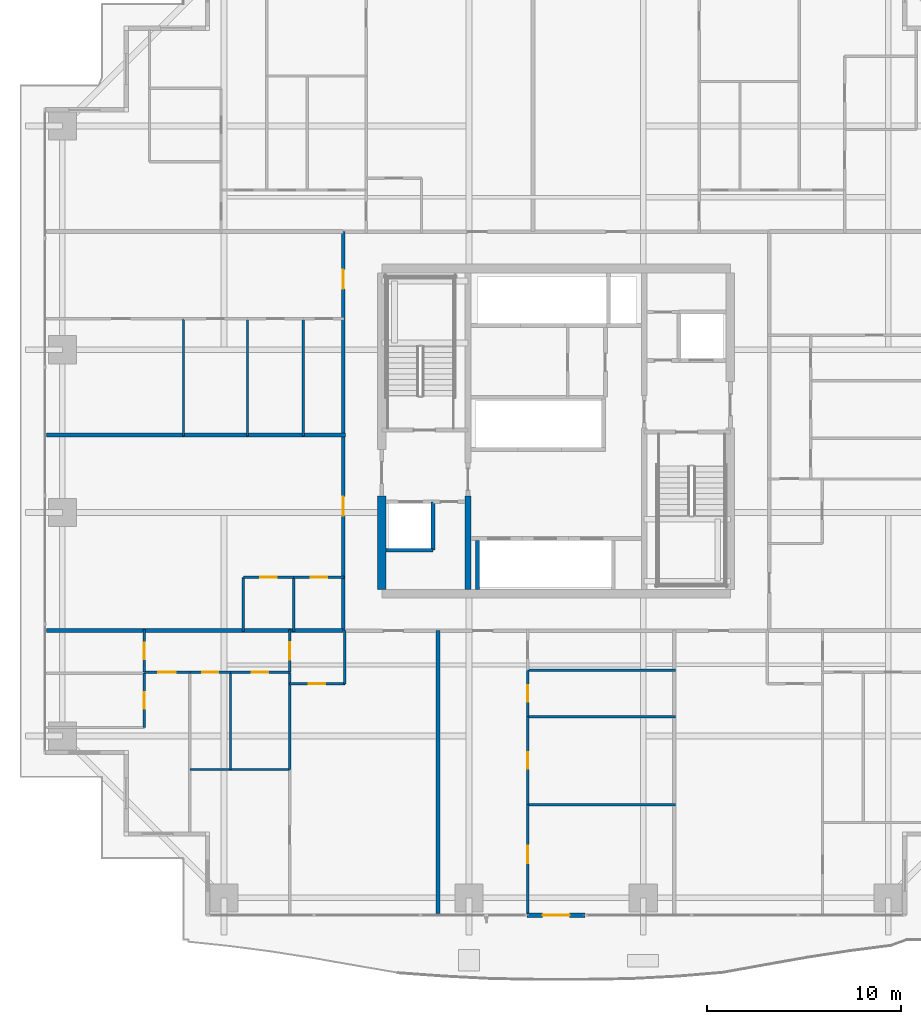
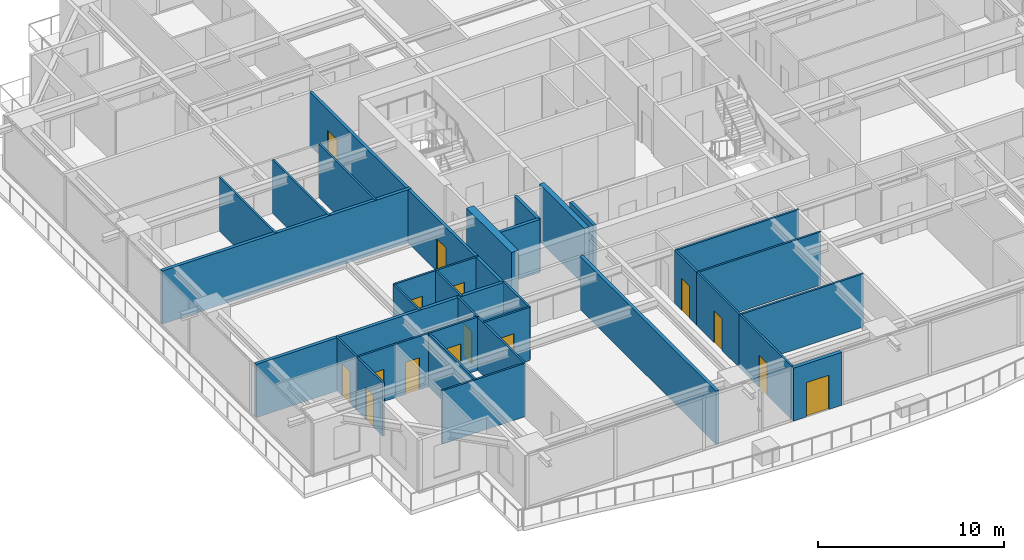
# One storey, part 27 of 39: 34 walls, 15 doors, 15 openings.
"""IFC4 building model written with IfcOpenShell, lengths in metres."""

from ifc_helpers import new_model, si_unit, direction, frame, frame_2d, origin, place, context, subcontext, project, spatial, rectangle, extrude, source, transform, mapped, material, layer, layer_set, type_object, element, fill, save


model = new_model("IFC4")

# Units and contexts
model_context = context("Model", 3, precision=1e-05, world=origin(), true_north=direction((0.0, 1.0)))
body_context = subcontext(model_context, "Body", "Model", "MODEL_VIEW")
ifc_project = project(units=[si_unit("LENGTHUNIT", "METRE"), si_unit("AREAUNIT", "SQUARE_METRE"), si_unit("VOLUMEUNIT", "CUBIC_METRE"), si_unit("PLANEANGLEUNIT", "RADIAN"), si_unit("MASSUNIT", "GRAM", prefix="KILO")], contexts=[model_context])

# Site, building, storey
site_placement = place(None, origin())
site = spatial("IfcSite", under=ifc_project, at=site_placement, CompositionType="ELEMENT")
building_placement = place(site_placement, origin())
building = spatial("IfcBuilding", under=site, at=building_placement, Name="Serunith Strait Residences", CompositionType="ELEMENT")
storey_placement = place(building_placement, frame((0.0, 0.0, 64.199951171875)))
storey = spatial("IfcBuildingStorey", under=building, at=storey_placement, Name="L15", CompositionType="ELEMENT", Elevation=64.199951171875)

# Wall, opening, door
ifc_material_1 = material(Name="Pale-Champagne Aluminium Insulated Panel", Category="aluminium")
ifc_layer_1 = layer(ifc_material_1, 0.219970703125, Name="Pale-Champagne Aluminium Insulated Panel")
ifc_layer_set_1 = layer_set([ifc_layer_1], Name="Pale-Champagne Aluminium Insulated Panel")
wall_type_1 = type_object("IfcWallType", Name="EW-ALUM-220", PredefinedType="ELEMENTEDWALL", material=ifc_layer_set_1)
wall_1_placement = place(storey_placement, frame((30.89990234375, 0.199951171875, 0.0), z_axis=(0.0, 0.0, 1.0), x_axis=(1.0, 0.0, 0.0)))
wall_1 = element("IfcWall", 1, at=wall_1_placement, inside=storey, type_object=wall_type_1, Name="L15 S Facade Pier Wall", PredefinedType="ELEMENTEDWALL", context=body_context, shape_type="SweptSolid", body=[
    extrude(rectangle(XDim=3.0, YDim=0.219970703125, at=frame_2d((1.5, 0.0))), origin(), (0.0, 0.0, 1.0), 3.47509765625),
])
opening_1_placement = place(wall_1_placement, frame((0.800048828125, 0.0, 0.0)))
opening_1 = element("IfcOpeningElement", 2, at=opening_1_placement, cuts=wall_1, Name="Opening ED-04", PredefinedType="OPENING", context=body_context, shape_type="SweptSolid", body=[
    extrude(rectangle(XDim=1.39990234375, YDim=2.25, at=frame_2d((0.699951171875, 1.125))), frame((0.0, 0.1201171875, 0.0), z_axis=(0.0, -1.0, 0.0), x_axis=(1.0, 0.0, 0.0)), (0.0, 0.0, 1.0), 0.239990234375),
])
ifc_material_2 = material(Name="Thermally-Broken Aluminium Sliding Balcony Door", Category="aluminium")
door_type_1 = type_object("IfcDoorType", Name="ED-BALC-1400", OperationType="NOTDEFINED", PredefinedType="DOOR", material=ifc_material_2)
shared_shape_1 = source(origin(), body_context, "Body", "SweptSolid", [
    extrude(rectangle(XDim=1.39990234375, YDim=2.25, at=frame_2d((0.699951171875, 1.125))), frame((0.0, 0.02490234375, 0.0), z_axis=(0.0, -1.0, 0.0), x_axis=(1.0, 0.0, 0.0)), (0.0, 0.0, 1.0), 0.050048828125),
])
door_1_placement = place(opening_1_placement, origin())
door_1 = element("IfcDoor", 3, at=door_1_placement, inside=storey, type_object=door_type_1, Name="L15 S Vertical-Forest Balcony Door", OperationType="SLIDING_TO_LEFT", OverallHeight=2.25, OverallWidth=1.39990234375, PredefinedType="DOOR", context=body_context, shape_type="MappedRepresentation", body=[
    mapped(shared_shape_1, transform((0.0, 0.0, 0.0), scale=1.0)),
])
fill(opening_1, door_1)

# Wall, openings, doors
ifc_material_3 = material(Name="Fire-rated acoustic gypsum partition")
ifc_layer_2 = layer(ifc_material_3, 0.179931640625, Name="Fire-rated acoustic gypsum partition")
ifc_layer_set_2 = layer_set([ifc_layer_2], Name="Fire-rated acoustic gypsum partition")
wall_type_2 = type_object("IfcWallType", Name="IW-CORR-180", PredefinedType="PARTITIONING", material=ifc_layer_set_2)
wall_2_placement = place(storey_placement, frame((21.39990234375, 14.89990234375, 0.0), z_axis=(0.0, 0.0, 1.0), x_axis=(0.0, 1.0, 0.0)))
wall_2 = element("IfcWall", 4, at=wall_2_placement, inside=storey, type_object=wall_type_2, Name="L15 Partition Wall 025", PredefinedType="PARTITIONING", context=body_context, shape_type="SweptSolid", body=[
    extrude(rectangle(XDim=20.60009765625, YDim=0.179931640625, at=frame_2d((10.300048828125, 0.0))), origin(), (0.0, 0.0, 1.0), 3.489990234375),
])
opening_2_placement = place(wall_2_placement, frame((5.9189453125, 0.0, 0.0)))
opening_2 = element("IfcOpeningElement", 5, at=opening_2_placement, cuts=wall_2, Name="Opening D-APT1000", PredefinedType="OPENING", context=body_context, shape_type="SweptSolid", body=[
    extrude(rectangle(XDim=1.0, YDim=2.14990234375, at=frame_2d((0.5, 1.074951171875))), frame((0.0, 0.10009765625, 0.0), z_axis=(0.0, -1.0, 0.0), x_axis=(1.0, 0.0, 0.0)), (0.0, 0.0, 1.0), 0.199951171875),
])
opening_3_placement = place(wall_2_placement, frame((17.639892578125, 0.0, 0.0)))
opening_3 = element("IfcOpeningElement", 6, at=opening_3_placement, cuts=wall_2, Name="Opening D-APT1000", PredefinedType="OPENING", context=body_context, shape_type="SweptSolid", body=[
    extrude(rectangle(XDim=1.0, YDim=2.14990234375, at=frame_2d((0.5, 1.074951171875))), frame((0.0, 0.10009765625, 0.0), z_axis=(0.0, -1.0, 0.0), x_axis=(1.0, 0.0, 0.0)), (0.0, 0.0, 1.0), 0.199951171875),
])
ifc_material_4 = material(Name="Solid timber engineered fire door", Category="wood")
door_type_2 = type_object("IfcDoorType", Name="ID-APT-1000", OperationType="NOTDEFINED", PredefinedType="DOOR", material=ifc_material_4)
shared_shape_2 = source(origin(), body_context, "Body", "SweptSolid", [
    extrude(rectangle(XDim=1.0, YDim=2.14990234375, at=frame_2d((0.5, 1.074951171875))), frame((0.0, 0.02490234375, 0.0), z_axis=(0.0, -1.0, 0.0), x_axis=(1.0, 0.0, 0.0)), (0.0, 0.0, 1.0), 0.050048828125),
])
door_2_placement = place(opening_2_placement, origin())
door_2 = element("IfcDoor", 7, at=door_2_placement, inside=storey, type_object=door_type_2, Name="L15 Unit 06 Entrance Door", OperationType="SINGLE_SWING_RIGHT", OverallHeight=2.14990234375, OverallWidth=1.0, PredefinedType="DOOR", context=body_context, shape_type="MappedRepresentation", body=[
    mapped(shared_shape_2, transform((0.0, 0.0, 0.0), scale=1.0)),
])
fill(opening_2, door_2)
door_3_placement = place(opening_3_placement, origin())
door_3 = element("IfcDoor", 8, at=door_3_placement, inside=storey, type_object=door_type_2, Name="L15 Unit 07 Entrance Door", OperationType="SINGLE_SWING_LEFT", OverallHeight=2.14990234375, OverallWidth=1.0, PredefinedType="DOOR", context=body_context, shape_type="MappedRepresentation", body=[
    mapped(shared_shape_2, transform((0.0, 0.0, 0.0), scale=1.0)),
])
fill(opening_3, door_3)

# Wall, opening, door
ifc_material_5 = material(Name="Lightweight steel-stud gypsum partition", Category="steel")
ifc_layer_3 = layer(ifc_material_5, 0.1201171875, Name="Lightweight steel-stud gypsum partition")
ifc_layer_set_3 = layer_set([ifc_layer_3], Name="Lightweight steel-stud gypsum partition")
wall_type_3 = type_object("IfcWallType", Name="IW-PART-120", PredefinedType="PARTITIONING", material=ifc_layer_set_3)
wall_3_placement = place(storey_placement, frame((18.639892578125, 12.14990234375, 0.0), z_axis=(0.0, 0.0, 1.0), x_axis=(1.0, 0.0, 0.0)))
wall_3 = element("IfcWall", 9, at=wall_3_placement, inside=storey, type_object=wall_type_3, Name="L15 Partition Wall 027", PredefinedType="PARTITIONING", context=body_context, shape_type="SweptSolid", body=[
    extrude(rectangle(XDim=2.85009765625, YDim=0.1201171875, at=frame_2d((1.425048828125, 0.0))), origin(), (0.0, 0.0, 1.0), 3.489990234375),
])
opening_4_placement = place(wall_3_placement, frame((1.0, 0.0, 0.0)))
opening_4 = element("IfcOpeningElement", 10, at=opening_4_placement, cuts=wall_3, Name="Opening D-RM850", PredefinedType="OPENING", context=body_context, shape_type="SweptSolid", body=[
    extrude(rectangle(XDim=0.85009765625, YDim=2.10009765625, at=frame_2d((0.425048828125, 1.050048828125))), frame((0.0, 0.070068359375, 0.0), z_axis=(0.0, -1.0, 0.0), x_axis=(1.0, 0.0, 0.0)), (0.0, 0.0, 1.0), 0.14013671875),
])
ifc_material_6 = material(Name="Engineered timber flush study and kitchen door", Category="wood")
door_type_3 = type_object("IfcDoorType", Name="ID-ROOM-850", OperationType="NOTDEFINED", PredefinedType="DOOR", material=ifc_material_6)
shared_shape_3 = source(origin(), body_context, "Body", "SweptSolid", [
    extrude(rectangle(XDim=0.85009765625, YDim=2.10009765625, at=frame_2d((0.425048828125, 1.050048828125))), frame((0.0, 0.02490234375, 0.0), z_axis=(0.0, -1.0, 0.0), x_axis=(1.0, 0.0, 0.0)), (0.0, 0.0, 1.0), 0.050048828125),
])
door_4_placement = place(opening_4_placement, origin())
door_4 = element("IfcDoor", 11, at=door_4_placement, inside=storey, type_object=door_type_3, Name="L15 Kitchen 1501 Door", OperationType="SINGLE_SWING_LEFT", OverallHeight=2.10009765625, OverallWidth=0.85009765625, PredefinedType="DOOR", context=body_context, shape_type="MappedRepresentation", body=[
    mapped(shared_shape_3, transform((0.0, 0.0, 0.0), scale=1.0)),
])
fill(opening_4, door_4)

# Wall
wall_4_placement = place(storey_placement, frame((21.489990234375, 12.14990234375, 0.0), z_axis=(0.0, 0.0, 1.0), x_axis=(0.0, 1.0, 0.0)))
element("IfcWall", 12, at=wall_4_placement, inside=storey, type_object=wall_type_3, Name="L15 Partition Wall 028", PredefinedType="PARTITIONING", context=body_context, shape_type="SweptSolid", body=[
    extrude(rectangle(XDim=2.748046875, YDim=0.1201171875, at=frame_2d((1.3740234375, 0.0))), origin(), (0.0, 0.0, 1.0), 3.489990234375),
])

# Wall, opening, door
wall_5_placement = place(storey_placement, frame((18.639892578125, 12.75, 0.0), z_axis=(0.0, 0.0, 1.0), x_axis=(0.0, 1.0, 0.0)))
wall_5 = element("IfcWall", 13, at=wall_5_placement, inside=storey, type_object=wall_type_3, Name="L15 Partition Wall 029", PredefinedType="PARTITIONING", context=body_context, shape_type="SweptSolid", body=[
    extrude(rectangle(XDim=2.2099609375, YDim=0.1201171875, at=frame_2d((1.10498046875, 0.0))), origin(), (0.0, 0.0, 1.0), 3.489990234375),
])
opening_5_placement = place(wall_5_placement, frame((0.655029296875, 0.0, 0.0)))
opening_5 = element("IfcOpeningElement", 14, at=opening_5_placement, cuts=wall_5, Name="Opening D-RM900", PredefinedType="OPENING", context=body_context, shape_type="SweptSolid", body=[
    extrude(rectangle(XDim=0.89990234375, YDim=2.10009765625, at=frame_2d((0.449951171875, 1.050048828125))), frame((0.0, 0.070068359375, 0.0), z_axis=(0.0, -1.0, 0.0), x_axis=(1.0, 0.0, 0.0)), (0.0, 0.0, 1.0), 0.14013671875),
])
ifc_material_7 = material(Name="Engineered timber flush bedroom door", Category="wood")
door_type_4 = type_object("IfcDoorType", Name="ID-ROOM-900", OperationType="NOTDEFINED", PredefinedType="DOOR", material=ifc_material_7)
shared_shape_4 = source(origin(), body_context, "Body", "SweptSolid", [
    extrude(rectangle(XDim=0.89990234375, YDim=2.10009765625, at=frame_2d((0.449951171875, 1.050048828125))), frame((0.0, 0.02490234375, 0.0), z_axis=(0.0, -1.0, 0.0), x_axis=(1.0, 0.0, 0.0)), (0.0, 0.0, 1.0), 0.050048828125),
])
door_5_placement = place(opening_5_placement, origin())
door_5 = element("IfcDoor", 15, at=door_5_placement, inside=storey, type_object=door_type_4, Name="L15 Hall W 1501 Door", OperationType="SINGLE_SWING_RIGHT", OverallHeight=2.10009765625, OverallWidth=0.89990234375, PredefinedType="DOOR", context=body_context, shape_type="MappedRepresentation", body=[
    mapped(shared_shape_4, transform((0.0, 0.0, 0.0), scale=1.0)),
])
fill(opening_5, door_5)

# Walls
wall_6_placement = place(storey_placement, frame((18.639892578125, 7.72998046875, 0.0), z_axis=(0.0, 0.0, 1.0), x_axis=(0.0, 1.0, 0.0)))
element("IfcWall", 16, at=wall_6_placement, inside=storey, type_object=wall_type_3, Name="L15 Partition Wall 031", PredefinedType="PARTITIONING", context=body_context, shape_type="SweptSolid", body=[
    extrude(rectangle(XDim=5.01806640625, YDim=0.1201171875, at=frame_2d((2.509033203125, 0.0))), origin(), (0.0, 0.0, 1.0), 3.489990234375),
])
wall_7_placement = place(storey_placement, frame((13.489990234375, 7.72802734375, 0.0), z_axis=(0.0, 0.0, 1.0), x_axis=(1.0, 0.0, 0.0)))
element("IfcWall", 17, at=wall_7_placement, inside=storey, type_object=wall_type_3, Name="L15 Partition Wall 032", PredefinedType="PARTITIONING", context=body_context, shape_type="SweptSolid", body=[
    extrude(rectangle(XDim=5.14990234375, YDim=0.1201171875, at=frame_2d((2.574951171875, 0.0))), origin(), (0.0, 0.0, 1.0), 3.489990234375),
])
wall_8_placement = place(storey_placement, frame((15.590087890625, 7.72802734375, 0.0), z_axis=(0.0, 0.0, 1.0), x_axis=(0.0, 1.0, 0.0)))
element("IfcWall", 18, at=wall_8_placement, inside=storey, type_object=wall_type_3, Name="L15 Partition Wall 034", PredefinedType="PARTITIONING", context=body_context, shape_type="SweptSolid", body=[
    extrude(rectangle(XDim=5.02197265625, YDim=0.1201171875, at=frame_2d((2.510986328125, 0.0))), origin(), (0.0, 0.0, 1.0), 3.489990234375),
])

# Wall, opening, door
wall_9_placement = place(storey_placement, frame((13.489990234375, 12.75, 0.0), z_axis=(0.0, 0.0, 1.0), x_axis=(1.0, 0.0, 0.0)))
wall_9 = element("IfcWall", 19, at=wall_9_placement, inside=storey, type_object=wall_type_3, Name="L15 Partition Wall 035", PredefinedType="PARTITIONING", context=body_context, shape_type="SweptSolid", body=[
    extrude(rectangle(XDim=2.10009765625, YDim=0.1201171875, at=frame_2d((1.050048828125, 0.0))), origin(), (0.0, 0.0, 1.0), 3.489990234375),
])
opening_6_placement = place(wall_9_placement, frame((0.625, 0.0, 0.0)))
opening_6 = element("IfcOpeningElement", 20, at=opening_6_placement, cuts=wall_9, Name="Opening D-BTH850", PredefinedType="OPENING", context=body_context, shape_type="SweptSolid", body=[
    extrude(rectangle(XDim=0.85009765625, YDim=2.10009765625, at=frame_2d((0.425048828125, 1.050048828125))), frame((0.0, 0.070068359375, 0.0), z_axis=(0.0, -1.0, 0.0), x_axis=(1.0, 0.0, 0.0)), (0.0, 0.0, 1.0), 0.14013671875),
])
ifc_material_8 = material(Name="Moisture-resistant timber bathroom door", Category="wood")
door_type_5 = type_object("IfcDoorType", Name="ID-BATH-850", OperationType="NOTDEFINED", PredefinedType="DOOR", material=ifc_material_8)
door_6_placement = place(opening_6_placement, origin())
door_6 = element("IfcDoor", 21, at=door_6_placement, inside=storey, type_object=door_type_5, Name="L15 Bathroom 1501 Door", OperationType="SINGLE_SWING_RIGHT", OverallHeight=2.10009765625, OverallWidth=0.85009765625, PredefinedType="DOOR", context=body_context, shape_type="MappedRepresentation", body=[
    mapped(shared_shape_3, transform((0.0, 0.0, 0.0), scale=1.0)),
])
fill(opening_6, door_6)

wall_10_placement = place(storey_placement, frame((15.592041015625, 12.75, 0.0), z_axis=(0.0, 0.0, 1.0), x_axis=(1.0, 0.0, 0.0)))
wall_10 = element("IfcWall", 22, at=wall_10_placement, inside=storey, type_object=wall_type_3, Name="L15 Partition Wall 036", PredefinedType="PARTITIONING", context=body_context, shape_type="SweptSolid", body=[
    extrude(rectangle(XDim=3.0478515625, YDim=0.1201171875, at=frame_2d((1.52392578125, 0.0))), origin(), (0.0, 0.0, 1.0), 3.489990234375),
])
opening_7_placement = place(wall_10_placement, frame((1.09912109375, 0.0, 0.0)))
opening_7 = element("IfcOpeningElement", 23, at=opening_7_placement, cuts=wall_10, Name="Opening D-RM850", PredefinedType="OPENING", context=body_context, shape_type="SweptSolid", body=[
    extrude(rectangle(XDim=0.85009765625, YDim=2.10009765625, at=frame_2d((0.425048828125, 1.050048828125))), frame((0.0, 0.070068359375, 0.0), z_axis=(0.0, -1.0, 0.0), x_axis=(1.0, 0.0, 0.0)), (0.0, 0.0, 1.0), 0.14013671875),
])
door_7_placement = place(opening_7_placement, origin())
door_7 = element("IfcDoor", 24, at=door_7_placement, inside=storey, type_object=door_type_3, Name="L15 Formal Dining Room 1501 Door", OperationType="SINGLE_SWING_LEFT", OverallHeight=2.10009765625, OverallWidth=0.85009765625, PredefinedType="DOOR", context=body_context, shape_type="MappedRepresentation", body=[
    mapped(shared_shape_3, transform((0.0, 0.0, 0.0), scale=1.0)),
])
fill(opening_7, door_7)

wall_11_placement = place(storey_placement, frame((11.139892578125, 12.75, 0.0), z_axis=(0.0, 0.0, 1.0), x_axis=(1.0, 0.0, 0.0)))
wall_11 = element("IfcWall", 25, at=wall_11_placement, inside=storey, type_object=wall_type_3, Name="L15 Partition Wall 037", PredefinedType="PARTITIONING", context=body_context, shape_type="SweptSolid", body=[
    extrude(rectangle(XDim=2.34814453125, YDim=0.1201171875, at=frame_2d((1.174072265625, 0.0))), origin(), (0.0, 0.0, 1.0), 3.489990234375),
])
opening_8_placement = place(wall_11_placement, frame((0.72412109375, 0.0, 0.0)))
opening_8 = element("IfcOpeningElement", 26, at=opening_8_placement, cuts=wall_11, Name="Opening D-RM900", PredefinedType="OPENING", context=body_context, shape_type="SweptSolid", body=[
    extrude(rectangle(XDim=0.89990234375, YDim=2.10009765625, at=frame_2d((0.449951171875, 1.050048828125))), frame((0.0, 0.070068359375, 0.0), z_axis=(0.0, -1.0, 0.0), x_axis=(1.0, 0.0, 0.0)), (0.0, 0.0, 1.0), 0.14013671875),
])
door_8_placement = place(opening_8_placement, origin())
door_8 = element("IfcDoor", 27, at=door_8_placement, inside=storey, type_object=door_type_4, Name="L15 Master Bedroom W 1501 Door", OperationType="SINGLE_SWING_RIGHT", OverallHeight=2.10009765625, OverallWidth=0.89990234375, PredefinedType="DOOR", context=body_context, shape_type="MappedRepresentation", body=[
    mapped(shared_shape_4, transform((0.0, 0.0, 0.0), scale=1.0)),
])
fill(opening_8, door_8)

wall_12_placement = place(storey_placement, frame((11.139892578125, 9.89404296875, 0.0), z_axis=(0.0, 0.0, 1.0), x_axis=(0.0, 1.0, 0.0)))
wall_12 = element("IfcWall", 28, at=wall_12_placement, inside=storey, type_object=wall_type_3, Name="L15 Partition Wall 040", PredefinedType="PARTITIONING", context=body_context, shape_type="SweptSolid", body=[
    extrude(rectangle(XDim=2.807861328125, YDim=0.1201171875, at=frame_2d((1.40380859375, 0.0))), origin(), (0.0, 0.0, 1.0), 3.489990234375),
])
opening_9_placement = place(wall_12_placement, frame((0.97900390625, 0.0, 0.0)))
opening_9 = element("IfcOpeningElement", 29, at=opening_9_placement, cuts=wall_12, Name="Opening D-BTH850", PredefinedType="OPENING", context=body_context, shape_type="SweptSolid", body=[
    extrude(rectangle(XDim=0.85009765625, YDim=2.10009765625, at=frame_2d((0.425048828125, 1.050048828125))), frame((0.0, 0.070068359375, 0.0), z_axis=(0.0, -1.0, 0.0), x_axis=(1.0, 0.0, 0.0)), (0.0, 0.0, 1.0), 0.14013671875),
])
door_9_placement = place(opening_9_placement, origin())
door_9 = element("IfcDoor", 30, at=door_9_placement, inside=storey, type_object=door_type_5, Name="L15 En-suite Bathroom W 1501 Door", OperationType="SINGLE_SWING_LEFT", OverallHeight=2.10009765625, OverallWidth=0.85009765625, PredefinedType="DOOR", context=body_context, shape_type="MappedRepresentation", body=[
    mapped(shared_shape_3, transform((0.0, 0.0, 0.0), scale=1.0)),
])
fill(opening_9, door_9)

wall_13_placement = place(storey_placement, frame((11.139892578125, 12.75, 0.0), z_axis=(0.0, 0.0, 1.0), x_axis=(0.0, 1.0, 0.0)))
wall_13 = element("IfcWall", 31, at=wall_13_placement, inside=storey, type_object=wall_type_3, Name="L15 Partition Wall 041", PredefinedType="PARTITIONING", context=body_context, shape_type="SweptSolid", body=[
    extrude(rectangle(XDim=2.2099609375, YDim=0.1201171875, at=frame_2d((1.10498046875, 0.0))), origin(), (0.0, 0.0, 1.0), 3.489990234375),
])
opening_10_placement = place(wall_13_placement, frame((0.679931640625, 0.0, 0.0)))
opening_10 = element("IfcOpeningElement", 32, at=opening_10_placement, cuts=wall_13, Name="Opening D-RM850", PredefinedType="OPENING", context=body_context, shape_type="SweptSolid", body=[
    extrude(rectangle(XDim=0.85009765625, YDim=2.10009765625, at=frame_2d((0.425048828125, 1.050048828125))), frame((0.0, 0.070068359375, 0.0), z_axis=(0.0, -1.0, 0.0), x_axis=(1.0, 0.0, 0.0)), (0.0, 0.0, 1.0), 0.14013671875),
])
door_10_placement = place(opening_10_placement, origin())
door_10 = element("IfcDoor", 33, at=door_10_placement, inside=storey, type_object=door_type_3, Name="L15 Wardrobe W 1501 Door", OperationType="SINGLE_SWING_RIGHT", OverallHeight=2.10009765625, OverallWidth=0.85009765625, PredefinedType="DOOR", context=body_context, shape_type="MappedRepresentation", body=[
    mapped(shared_shape_3, transform((0.0, 0.0, 0.0), scale=1.0)),
])
fill(opening_10, door_10)

wall_14_placement = place(storey_placement, frame((30.93994140625, 0.294921875, 0.0), z_axis=(0.0, 0.0, 1.0), x_axis=(0.0, 1.0, 0.0)))
wall_14 = element("IfcWall", 34, at=wall_14_placement, inside=storey, type_object=wall_type_3, Name="L15 Partition Wall 042", PredefinedType="PARTITIONING", context=body_context, shape_type="SweptSolid", body=[
    extrude(rectangle(XDim=5.619140625, YDim=0.1201171875, at=frame_2d((2.8095703125, 0.0))), origin(), (0.0, 0.0, 1.0), 3.489990234375),
])
opening_11_placement = place(wall_14_placement, frame((2.594970703125, 0.0, 0.0)))
opening_11 = element("IfcOpeningElement", 35, at=opening_11_placement, cuts=wall_14, Name="Opening D-RM900", PredefinedType="OPENING", context=body_context, shape_type="SweptSolid", body=[
    extrude(rectangle(XDim=0.89990234375, YDim=2.10009765625, at=frame_2d((0.449951171875, 1.050048828125))), frame((0.0, 0.070068359375, 0.0), z_axis=(0.0, -1.0, 0.0), x_axis=(1.0, 0.0, 0.0)), (0.0, 0.0, 1.0), 0.14013671875),
])
door_11_placement = place(opening_11_placement, origin())
door_11 = element("IfcDoor", 36, at=door_11_placement, inside=storey, type_object=door_type_4, Name="L15 Master Bedroom 1 1502 Door", OperationType="SINGLE_SWING_LEFT", OverallHeight=2.10009765625, OverallWidth=0.89990234375, PredefinedType="DOOR", context=body_context, shape_type="MappedRepresentation", body=[
    mapped(shared_shape_4, transform((0.0, 0.0, 0.0), scale=1.0)),
])
fill(opening_11, door_11)

# Walls
for number, where, z_axis, x_axis, name in (
    (37, (30.93994140625, 5.9140625, 0.0), (0.0, 0.0, 1.0), (1.0, 0.0, 0.0), "L15 Partition Wall 043"),
    (38, (30.93994140625, 10.4560546875, 0.0), (0.0, 0.0, 1.0), (1.0, 0.0, 0.0), "L15 Partition Wall 044"),
    (39, (30.93994140625, 12.85009765625, 0.0), (0.0, 0.0, 1.0), (1.0, 0.0, 0.0), "L15 Partition Wall 045"),
):
    element("IfcWall", number, at=place(storey_placement, frame(where, z_axis=z_axis, x_axis=x_axis)), inside=storey, type_object=wall_type_3, Name=name, PredefinedType="PARTITIONING", context=body_context, shape_type="SweptSolid", body=[
        extrude(rectangle(XDim=7.6201171875, YDim=0.1201171875, at=frame_2d((3.81005859375, 0.0))), origin(), (0.0, 0.0, 1.0), 3.489990234375),
    ])

# Wall, opening, door
wall_15_placement = place(storey_placement, frame((30.93994140625, 5.916015625, 0.0), z_axis=(0.0, 0.0, 1.0), x_axis=(0.0, 1.0, 0.0)))
wall_15 = element("IfcWall", 40, at=wall_15_placement, inside=storey, type_object=wall_type_3, Name="L15 Partition Wall 046", PredefinedType="PARTITIONING", context=body_context, shape_type="SweptSolid", body=[
    extrude(rectangle(XDim=4.5400390625, YDim=0.1201171875, at=frame_2d((2.27001953125, 0.0))), origin(), (0.0, 0.0, 1.0), 3.489990234375),
])
opening_12_placement = place(wall_15_placement, frame((1.844970703125, 0.0, 0.0)))
opening_12 = element("IfcOpeningElement", 41, at=opening_12_placement, cuts=wall_15, Name="Opening D-RM850", PredefinedType="OPENING", context=body_context, shape_type="SweptSolid", body=[
    extrude(rectangle(XDim=0.85009765625, YDim=2.10009765625, at=frame_2d((0.425048828125, 1.050048828125))), frame((0.0, 0.070068359375, 0.0), z_axis=(0.0, -1.0, 0.0), x_axis=(1.0, 0.0, 0.0)), (0.0, 0.0, 1.0), 0.14013671875),
])
door_12_placement = place(opening_12_placement, origin())
door_12 = element("IfcDoor", 42, at=door_12_placement, inside=storey, type_object=door_type_3, Name="L15 Dining 1502 Door", OperationType="SINGLE_SWING_RIGHT", OverallHeight=2.10009765625, OverallWidth=0.85009765625, PredefinedType="DOOR", context=body_context, shape_type="MappedRepresentation", body=[
    mapped(shared_shape_3, transform((0.0, 0.0, 0.0), scale=1.0)),
])
fill(opening_12, door_12)

wall_16_placement = place(storey_placement, frame((30.93994140625, 10.4580078125, 0.0), z_axis=(0.0, 0.0, 1.0), x_axis=(0.0, 1.0, 0.0)))
wall_16 = element("IfcWall", 43, at=wall_16_placement, inside=storey, type_object=wall_type_3, Name="L15 Partition Wall 047", PredefinedType="PARTITIONING", context=body_context, shape_type="SweptSolid", body=[
    extrude(rectangle(XDim=2.39208984375, YDim=0.1201171875, at=frame_2d((1.196044921875, 0.0))), origin(), (0.0, 0.0, 1.0), 3.489990234375),
])
opening_13_placement = place(wall_16_placement, frame((0.77099609375, 0.0, 0.0)))
opening_13 = element("IfcOpeningElement", 44, at=opening_13_placement, cuts=wall_16, Name="Opening D-RM850", PredefinedType="OPENING", context=body_context, shape_type="SweptSolid", body=[
    extrude(rectangle(XDim=0.85009765625, YDim=2.10009765625, at=frame_2d((0.425048828125, 1.050048828125))), frame((0.0, 0.070068359375, 0.0), z_axis=(0.0, -1.0, 0.0), x_axis=(1.0, 0.0, 0.0)), (0.0, 0.0, 1.0), 0.14013671875),
])
door_13_placement = place(opening_13_placement, origin())
door_13 = element("IfcDoor", 45, at=door_13_placement, inside=storey, type_object=door_type_3, Name="L15 Kitchen 1502 Door", OperationType="SINGLE_SWING_LEFT", OverallHeight=2.10009765625, OverallWidth=0.85009765625, PredefinedType="DOOR", context=body_context, shape_type="MappedRepresentation", body=[
    mapped(shared_shape_3, transform((0.0, 0.0, 0.0), scale=1.0)),
])
fill(opening_13, door_13)

wall_17_placement = place(storey_placement, frame((16.25, 17.64990234375, 0.0), z_axis=(0.0, 0.0, 1.0), x_axis=(1.0, 0.0, 0.0)))
wall_17 = element("IfcWall", 46, at=wall_17_placement, inside=storey, type_object=wall_type_3, Name="L15 Partition Wall 096", PredefinedType="PARTITIONING", context=body_context, shape_type="SweptSolid", body=[
    extrude(rectangle(XDim=2.60009765625, YDim=0.1201171875, at=frame_2d((1.300048828125, 0.0))), origin(), (0.0, 0.0, 1.0), 3.489990234375),
])
opening_14_placement = place(wall_17_placement, frame((0.875, 0.0, 0.0)))
opening_14 = element("IfcOpeningElement", 47, at=opening_14_placement, cuts=wall_17, Name="Opening D-RM850", PredefinedType="OPENING", context=body_context, shape_type="SweptSolid", body=[
    extrude(rectangle(XDim=0.85009765625, YDim=2.10009765625, at=frame_2d((0.425048828125, 1.050048828125))), frame((0.0, 0.070068359375, 0.0), z_axis=(0.0, -1.0, 0.0), x_axis=(1.0, 0.0, 0.0)), (0.0, 0.0, 1.0), 0.14013671875),
])
door_14_placement = place(opening_14_placement, origin())
door_14 = element("IfcDoor", 48, at=door_14_placement, inside=storey, type_object=door_type_3, Name="L15 Kitchen 1506 Door", OperationType="SINGLE_SWING_RIGHT", OverallHeight=2.10009765625, OverallWidth=0.85009765625, PredefinedType="DOOR", context=body_context, shape_type="MappedRepresentation", body=[
    mapped(shared_shape_3, transform((0.0, 0.0, 0.0), scale=1.0)),
])
fill(opening_14, door_14)

wall_18_placement = place(storey_placement, frame((18.85205078125, 17.64990234375, 0.0), z_axis=(0.0, 0.0, 1.0), x_axis=(1.0, 0.0, 0.0)))
wall_18 = element("IfcWall", 49, at=wall_18_placement, inside=storey, type_object=wall_type_3, Name="L15 Partition Wall 097", PredefinedType="PARTITIONING", context=body_context, shape_type="SweptSolid", body=[
    extrude(rectangle(XDim=2.60791015625, YDim=0.1201171875, at=frame_2d((1.303955078125, 0.0))), origin(), (0.0, 0.0, 1.0), 3.489990234375),
])
opening_15_placement = place(wall_18_placement, frame((0.87890625, 0.0, 0.0)))
opening_15 = element("IfcOpeningElement", 50, at=opening_15_placement, cuts=wall_18, Name="Opening D-BTH850", PredefinedType="OPENING", context=body_context, shape_type="SweptSolid", body=[
    extrude(rectangle(XDim=0.85009765625, YDim=2.10009765625, at=frame_2d((0.425048828125, 1.050048828125))), frame((0.0, 0.070068359375, 0.0), z_axis=(0.0, -1.0, 0.0), x_axis=(1.0, 0.0, 0.0)), (0.0, 0.0, 1.0), 0.14013671875),
])
door_15_placement = place(opening_15_placement, origin())
door_15 = element("IfcDoor", 51, at=door_15_placement, inside=storey, type_object=door_type_5, Name="L15 Bathroom 1506 Door", OperationType="SINGLE_SWING_LEFT", OverallHeight=2.10009765625, OverallWidth=0.85009765625, PredefinedType="DOOR", context=body_context, shape_type="MappedRepresentation", body=[
    mapped(shared_shape_3, transform((0.0, 0.0, 0.0), scale=1.0)),
])
fill(opening_15, door_15)

# Walls
for number, where, z_axis, x_axis, name in (
    (52, (18.85009765625, 14.840087890625, 0.0), (0.0, 0.0, 1.0), (0.0, 1.0, 0.0), "L15 Partition Wall 098"),
    (53, (16.25, 14.840087890625, 0.0), (0.0, 0.0, 1.0), (0.0, 1.0, 0.0), "L15 Partition Wall 099"),
):
    element("IfcWall", number, at=place(storey_placement, frame(where, z_axis=z_axis, x_axis=x_axis)), inside=storey, type_object=wall_type_3, Name=name, PredefinedType="PARTITIONING", context=body_context, shape_type="SweptSolid", body=[
        extrude(rectangle(XDim=2.809814453125, YDim=0.1201171875, at=frame_2d((1.40478515625, 0.0))), origin(), (0.0, 0.0, 1.0), 3.489990234375),
    ])
for number, where, z_axis, x_axis, name in (
    (54, (13.157958984375, 24.93994140625, 0.0), (0.0, 0.0, 1.0), (0.0, 1.0, 0.0), "L15 Partition Wall 101"),
    (55, (16.467041015625, 24.93994140625, 0.0), (0.0, 0.0, 1.0), (0.0, 1.0, 0.0), "L15 Partition Wall 102"),
    (56, (19.35009765625, 24.93994140625, 0.0), (0.0, 0.0, 1.0), (0.0, 1.0, 0.0), "L15 Partition Wall 103"),
):
    element("IfcWall", number, at=place(storey_placement, frame(where, z_axis=z_axis, x_axis=x_axis)), inside=storey, type_object=wall_type_3, Name=name, PredefinedType="PARTITIONING", context=body_context, shape_type="SweptSolid", body=[
        extrude(rectangle(XDim=6.06005859375, YDim=0.1201171875, at=frame_2d((3.030029296875, 0.0))), origin(), (0.0, 0.0, 1.0), 3.489990234375),
    ])
ifc_material_9 = material(Name="Twin-stud acoustic gypsum board partition")
ifc_layer_4 = layer(ifc_material_9, 0.199951171875, Name="Twin-stud acoustic gypsum board partition")
ifc_layer_set_4 = layer_set([ifc_layer_4], Name="Twin-stud acoustic gypsum board partition")
wall_type_4 = type_object("IfcWallType", Name="IW-PARTY-200", PredefinedType="PARTITIONING", material=ifc_layer_set_4)
wall_19_placement = place(storey_placement, frame((26.300048828125, 0.281982421875, 0.0), z_axis=(0.0, 0.0, 1.0), x_axis=(0.0, 1.0, 0.0)))
element("IfcWall", 57, at=wall_19_placement, inside=storey, type_object=wall_type_4, Name="L15 Partition Wall 015", PredefinedType="PARTITIONING", context=body_context, shape_type="SweptSolid", body=[
    extrude(rectangle(XDim=14.617919921875, YDim=0.199951171875, at=frame_2d((7.30908203125, 0.0))), origin(), (0.0, 0.0, 1.0), 3.489990234375),
])
wall_20_placement = place(storey_placement, frame((6.08203125, 25.0, 0.0), z_axis=(0.0, 0.0, 1.0), x_axis=(1.0, 0.0, 0.0)))
element("IfcWall", 58, at=wall_20_placement, inside=storey, type_object=wall_type_4, Name="L15 Partition Wall 018", PredefinedType="PARTITIONING", context=body_context, shape_type="SweptSolid", body=[
    extrude(rectangle(XDim=15.43798828125, YDim=0.199951171875, at=frame_2d((7.718994140625, 0.0))), origin(), (0.0, 0.0, 1.0), 3.489990234375),
])
wall_21_placement = place(storey_placement, frame((6.08203125, 14.89990234375, 0.0), z_axis=(0.0, 0.0, 1.0), x_axis=(1.0, 0.0, 0.0)))
element("IfcWall", 59, at=wall_21_placement, inside=storey, type_object=wall_type_4, Name="L15 Partition Wall 019", PredefinedType="PARTITIONING", context=body_context, shape_type="SweptSolid", body=[
    extrude(rectangle(XDim=15.31787109375, YDim=0.199951171875, at=frame_2d((7.658935546875, 0.0))), origin(), (0.0, 0.0, 1.0), 3.489990234375),
])
ifc_material_10 = material(Name="Autoclaved aerated concrete blockwork", Category="masonry")
ifc_layer_5 = layer(ifc_material_10, 0.199951171875, Name="Autoclaved aerated concrete blockwork")
ifc_layer_set_5 = layer_set([ifc_layer_5], Name="Autoclaved aerated concrete blockwork")
wall_type_5 = type_object("IfcWallType", Name="IW-SHAFT-200", PredefinedType="STANDARD", material=ifc_layer_set_5)
wall_22_placement = place(storey_placement, frame((28.35009765625, 17.02490234375, 0.0), z_axis=(0.0, 0.0, 1.0), x_axis=(0.0, 1.0, 0.0)))
element("IfcWall", 60, at=wall_22_placement, inside=storey, type_object=wall_type_5, Name="L15 PL-1 West Shaft Wall", PredefinedType="STANDARD", context=body_context, shape_type="SweptSolid", body=[
    extrude(rectangle(XDim=2.525146484375, YDim=0.199951171875, at=frame_2d((1.2626953125, 0.0))), origin(), (0.0, 0.0, 1.0), 3.489990234375),
])
wall_23_placement = place(storey_placement, frame((26.050048828125, 19.050048828125, 0.0), z_axis=(0.0, 0.0, 1.0), x_axis=(0.0, 1.0, 0.0)))
element("IfcWall", 61, at=wall_23_placement, inside=storey, type_object=wall_type_5, Name="L15 Partition Wall 001", PredefinedType="STANDARD", context=body_context, shape_type="SweptSolid", body=[
    extrude(rectangle(XDim=2.5, YDim=0.199951171875, at=frame_2d((1.25, 0.0))), origin(), (0.0, 0.0, 1.0), 3.489990234375),
])
wall_24_placement = place(storey_placement, frame((23.625, 19.050048828125, 0.0), z_axis=(0.0, 0.0, 1.0), x_axis=(1.0, 0.0, 0.0)))
element("IfcWall", 62, at=wall_24_placement, inside=storey, type_object=wall_type_5, Name="L15 Partition Wall 002", PredefinedType="STANDARD", context=body_context, shape_type="SweptSolid", body=[
    extrude(rectangle(XDim=2.425048828125, YDim=0.199951171875, at=frame_2d((1.21240234375, 0.0))), origin(), (0.0, 0.0, 1.0), 3.489990234375),
])
ifc_material_11 = material(Name="Concrete C80/95", Category="concrete")
ifc_layer_6 = layer(ifc_material_11, 0.300048828125, Name="Concrete C80/95")
ifc_layer_set_6 = layer_set([ifc_layer_6], Name="Concrete C80/95")
wall_type_6 = type_object("IfcWallType", Name="SW-300-C80", PredefinedType="SHEAR", material=ifc_layer_set_6)
wall_25_placement = place(storey_placement, frame((27.85009765625, 17.02490234375, -0.260009765625), z_axis=(0.0, 0.0, 1.0), x_axis=(0.0, 1.0, 0.0)))
element("IfcWall", 63, at=wall_25_placement, inside=storey, type_object=wall_type_6, Name="L15 Core Internal West Web South Pier", PredefinedType="SHEAR", context=body_context, shape_type="SweptSolid", body=[
    extrude(rectangle(XDim=4.8251953125, YDim=0.300048828125, at=frame_2d((2.41259765625, 0.0))), origin(), (0.0, 0.0, 1.0), 3.748046875),
])
ifc_layer_7 = layer(ifc_material_11, 0.449951171875, Name="Concrete C80/95")
ifc_layer_set_7 = layer_set([ifc_layer_7], Name="Concrete C80/95")
wall_type_7 = type_object("IfcWallType", Name="SW-450-C80", PredefinedType="SHEAR", material=ifc_layer_set_7)
wall_26_placement = place(storey_placement, frame((23.39990234375, 17.02490234375, -0.260009765625), z_axis=(0.0, 0.0, 1.0), x_axis=(0.0, 1.0, 0.0)))
element("IfcWall", 64, at=wall_26_placement, inside=storey, type_object=wall_type_7, Name="L15 Core West Shear Wall South Pier", PredefinedType="SHEAR", context=body_context, shape_type="SweptSolid", body=[
    extrude(rectangle(XDim=4.8251953125, YDim=0.449951171875, at=frame_2d((2.41259765625, 0.0))), origin(), (0.0, 0.0, 1.0), 3.748046875),
])

save(model, "model.ifc")
